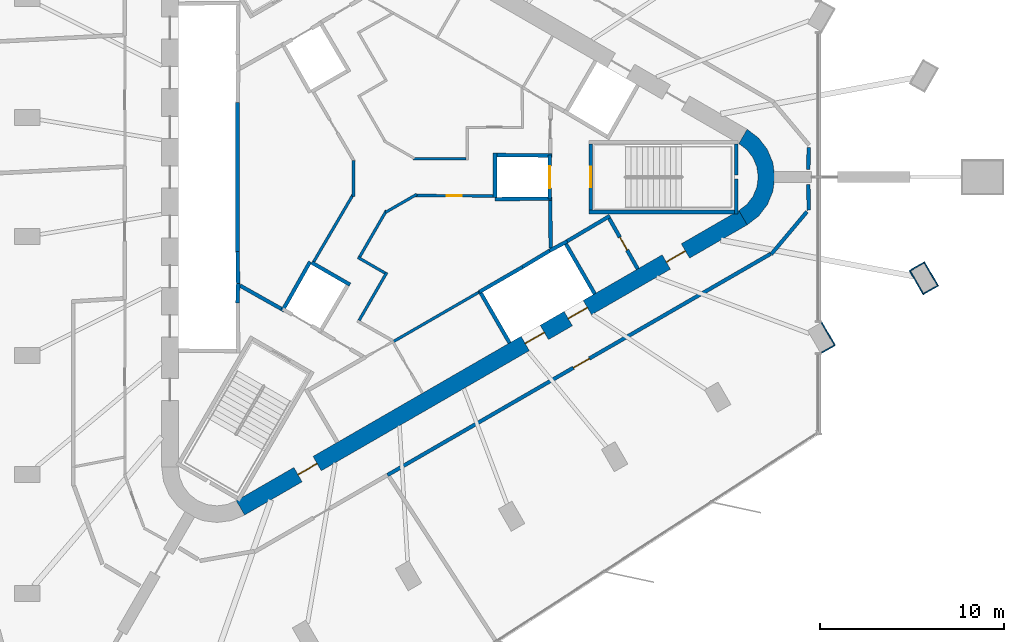
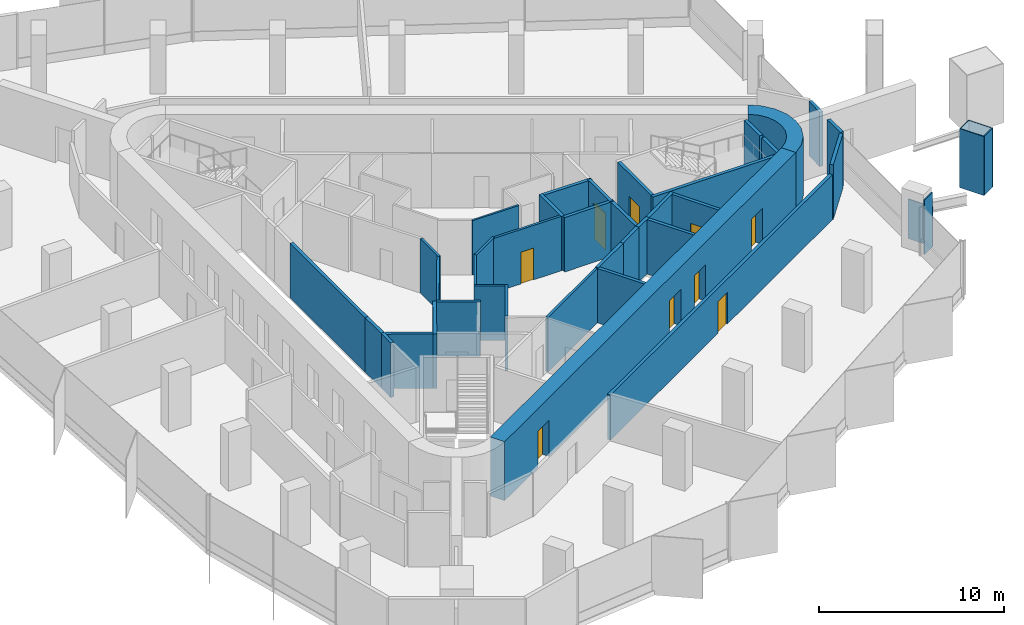
# One storey, part 8 of 12: 43 walls, 9 doors, 9 openings.
"""IFC4 building model written with IfcOpenShell, lengths in metres."""

import ifcopenshell
import ifcopenshell.guid

model = None  # the IFC model being written
_history = None  # IfcOwnerHistory: only IFC2X3 demands one
_inside = {}  # id of a spatial element -> (the spatial element, [elements in it])
_under = {}  # id of a project, library or spatial element -> (it, [spatial elements below it])
_declared = {}  # id of a project -> (the project, [libraries it declares])
_typed = {}  # id of a type object -> (the type object, [elements of that type])
_made_of = {}  # id of a material, layer set ... -> (it, [elements and type objects made of it])


def new_model(schema):
    """Start an empty IFC model of exactly this schema.

    Asked for "IFC4X3", IfcOpenShell would pick the latest addendum, in which some entities
    have other attributes; the version numbers below select the first issue.
    IFC2X3 requires an IfcOwnerHistory on every rooted entity: one is made here for all.
    """
    global model, _history
    if schema == "IFC4X3":
        model = ifcopenshell.file(schema_version=(4, 3, 0, 0))
    else:
        model = ifcopenshell.file(schema=schema)
    _inside.clear()
    _under.clear()
    _declared.clear()
    _typed.clear()
    _made_of.clear()
    _history = None
    if model.schema == "IFC2X3":
        org = make("IfcOrganization", Name="unknown")
        user = make(
            "IfcPersonAndOrganization",
            ThePerson=make("IfcPerson", FamilyName="unknown"),
            TheOrganization=org,
        )
        app = make(
            "IfcApplication",
            ApplicationDeveloper=org,
            Version="unknown",
            ApplicationFullName="unknown",
            ApplicationIdentifier="unknown",
        )
        _history = make(
            "IfcOwnerHistory",
            OwningUser=user,
            OwningApplication=app,
            ChangeAction="ADDED",
            CreationDate=0,
        )
    return model


def make(cls, **values):
    """One entity of the class cls with the attributes given. An attribute that is None is left unset."""
    return model.create_entity(
        cls, **{name: value for name, value in values.items() if value is not None}
    )


def rooted(cls, **values):
    """An entity with a GlobalId (a new one), such as an element, a storey or a relation."""
    return make(cls, GlobalId=ifcopenshell.guid.new(), OwnerHistory=_history, **values)


def si_unit(unit_type, name, prefix=None):
    """IfcSIUnit, for example si_unit("LENGTHUNIT", "METRE", prefix="MILLI")."""
    return make("IfcSIUnit", UnitType=unit_type, Prefix=prefix, Name=name)


def assignment(units):
    """IfcUnitAssignment: the units of a project."""
    return None if units is None else make("IfcUnitAssignment", Units=units)


def point(xyz):
    """IfcCartesianPoint."""
    return None if xyz is None else make("IfcCartesianPoint", Coordinates=xyz)


def direction(xyz):
    """IfcDirection."""
    return None if xyz is None else make("IfcDirection", DirectionRatios=xyz)


def frame(location, z_axis=None, x_axis=None):
    """IfcAxis2Placement3D, a coordinate frame: its origin and axes. An axis left out is left unset."""
    return make(
        "IfcAxis2Placement3D",
        Location=point(location),
        Axis=direction(z_axis),
        RefDirection=direction(x_axis),
    )


def frame_2d(location, x_axis=None):
    """IfcAxis2Placement2D, a coordinate frame in the plane: its origin and x axis."""
    return make(
        "IfcAxis2Placement2D", Location=point(location), RefDirection=direction(x_axis)
    )


def origin():
    """The frame at (0, 0, 0) with its axes left unset."""
    return frame((0.0, 0.0, 0.0))


def place(relative_to, where):
    """IfcLocalPlacement: puts the frame where relative to a parent placement (None: the world)."""
    return make(
        "IfcLocalPlacement", PlacementRelTo=relative_to, RelativePlacement=where
    )


def context(
    kind, dimensions, precision=None, world=None, true_north=None, identifier=None
):
    """IfcGeometricRepresentationContext, for example the 3D "Model" context."""
    return make(
        "IfcGeometricRepresentationContext",
        ContextIdentifier=identifier,
        ContextType=kind,
        CoordinateSpaceDimension=dimensions,
        Precision=precision,
        WorldCoordinateSystem=world,
        TrueNorth=true_north,
    )


def subcontext(parent, identifier, kind, view, scale=None):
    """IfcGeometricRepresentationSubContext, for example "Body" below "Model"."""
    return make(
        "IfcGeometricRepresentationSubContext",
        ContextIdentifier=identifier,
        ContextType=kind,
        ParentContext=parent,
        TargetScale=scale,
        TargetView=view,
    )


def project(units=None, contexts=None):
    """IfcProject with its units and contexts."""
    return rooted(
        "IfcProject",
        Name="project",
        RepresentationContexts=contexts,
        UnitsInContext=assignment(units),
    )


def spatial(cls, under=None, at=None, **own):
    """A site, building, storey or space (cls), placed at a placement, below another one or the project."""
    s = rooted(cls, ObjectPlacement=at, **own)
    if under is not None:
        _under.setdefault(under.id(), (under, []))[1].append(s)
    return s


def polyline(points):
    """IfcPolyline through the points."""
    return make("IfcPolyline", Points=[point(p) for p in points])


def profile(cls, at=None, kind="AREA", **sizes):
    """A parametric profile (cls). Its sizes go by their IFC names, for example OverallWidth=200.0."""
    return make(cls, ProfileType=kind, Position=at, **sizes)


def rectangle(**sizes):
    """IfcRectangleProfileDef."""
    return profile("IfcRectangleProfileDef", **sizes)


def outline(outer, holes=None, kind="AREA"):
    """IfcArbitraryClosedProfileDef: a profile drawn as a closed curve; with holes, ...WithVoids."""
    if holes is None:
        return make("IfcArbitraryClosedProfileDef", ProfileType=kind, OuterCurve=outer)
    return make(
        "IfcArbitraryProfileDefWithVoids",
        ProfileType=kind,
        OuterCurve=outer,
        InnerCurves=holes,
    )


def extrude(swept, where, along, depth):
    """IfcExtrudedAreaSolid: the profile swept, set in the frame where, extruded along a direction by depth."""
    return make(
        "IfcExtrudedAreaSolid",
        SweptArea=swept,
        Position=where,
        ExtrudedDirection=direction(along),
        Depth=depth,
    )


def shape(context_of_items, identifier, shape_type, items):
    """IfcShapeRepresentation: the items that make up one representation, for example the "Body"."""
    return make(
        "IfcShapeRepresentation",
        ContextOfItems=context_of_items,
        RepresentationIdentifier=identifier,
        RepresentationType=shape_type,
        Items=items,
    )


def material(Name=None, Category=None):
    """IfcMaterial."""
    return make("IfcMaterial", Name=Name, Category=Category)


def layer(
    of_material, thickness, ventilated=None, Name=None, Category=None, Priority=None
):
    """IfcMaterialLayer: one layer of a wall or slab, of a material (None: an air gap)."""
    return make(
        "IfcMaterialLayer",
        Material=of_material,
        LayerThickness=thickness,
        IsVentilated=ventilated,
        Name=Name,
        Category=Category,
        Priority=Priority,
    )


def layer_set(layers, Name=None):
    """IfcMaterialLayerSet."""
    return make("IfcMaterialLayerSet", MaterialLayers=layers, LayerSetName=Name)


def made_of(thing, what):
    """Note that an element or type object is made of a material, layer set ...; save() writes the relation."""
    if what is not None:
        _made_of.setdefault(what.id(), (what, []))[1].append(thing)
    return thing


def type_object(cls, material=None, **own):
    """A type object (cls), such as IfcWallType, which elements share."""
    return made_of(rooted(cls, **own), material)


def element(
    cls,
    number,
    at=None,
    inside=None,
    cuts=None,
    type_object=None,
    material=None,
    context=None,
    identifier="Body",
    shape_type=None,
    held_by="IfcProductDefinitionShape",
    body=None,
    shapes=None,
    **own,
):
    """One element of the class cls, such as IfcWall. Its Tag is "e" and its number.

    at: its placement. inside: the storey or other place that contains it. cuts: it is an
    opening in that element (IfcRelVoidsElement). A single representation is given by context,
    identifier, shape_type and body (its items); several are given by shapes. held_by: the class
    of the entity that holds the representations. save() writes the other relations.
    """
    e = rooted(cls, Tag="e%d" % number, ObjectPlacement=at, **own)
    if body is not None:
        shapes = [shape(context, identifier, shape_type, body)]
    if shapes is not None:
        e.Representation = make(held_by, Representations=shapes)
    if inside is not None:
        _inside.setdefault(inside.id(), (inside, []))[1].append(e)
    if cuts is not None:
        rooted(
            "IfcRelVoidsElement", RelatingBuildingElement=cuts, RelatedOpeningElement=e
        )
    if type_object is not None:
        _typed.setdefault(type_object.id(), (type_object, []))[1].append(e)
    return made_of(e, material)


def fill(opening, filler):
    """IfcRelFillsElement: the door or window that sits in an opening."""
    return rooted(
        "IfcRelFillsElement",
        RelatingOpeningElement=opening,
        RelatedBuildingElement=filler,
    )


def aggregate(whole, parts):
    """IfcRelAggregates: a whole, such as a stair, and the parts it consists of."""
    return rooted("IfcRelAggregates", RelatingObject=whole, RelatedObjects=parts)


def save(model, path):
    """Write the relations noted so far, then the file.

    IfcRelAggregates (storeys below a building ...), IfcRelContainedInSpatialStructure (elements
    in a storey), IfcRelDefinesByType, IfcRelAssociatesMaterial and IfcRelDeclares: one each for
    every whole, place, type object, material and project.
    """
    for whole, parts in _under.values():
        aggregate(whole, parts)
    for where, things in _inside.values():
        rooted(
            "IfcRelContainedInSpatialStructure",
            RelatedElements=things,
            RelatingStructure=where,
        )
    for kind, things in _typed.values():
        rooted("IfcRelDefinesByType", RelatedObjects=things, RelatingType=kind)
    for what, things in _made_of.values():
        rooted("IfcRelAssociatesMaterial", RelatedObjects=things, RelatingMaterial=what)
    for by, libraries in _declared.values():
        rooted("IfcRelDeclares", RelatingContext=by, RelatedDefinitions=libraries)
    model.write(path)


model = new_model("IFC4")

# Units and contexts
model_context = context("Model", 3, precision=1e-05, world=origin(), true_north=direction((0.0, 1.0)))
body_context = subcontext(model_context, "Body", "Model", "MODEL_VIEW")
ifc_project = project(units=[si_unit("LENGTHUNIT", "METRE"), si_unit("AREAUNIT", "SQUARE_METRE"), si_unit("VOLUMEUNIT", "CUBIC_METRE"), si_unit("PLANEANGLEUNIT", "RADIAN"), si_unit("MASSUNIT", "GRAM", prefix="KILO")], contexts=[model_context])

# Site, building, storey
site_placement = place(None, origin())
site = spatial("IfcSite", under=ifc_project, at=site_placement, CompositionType="ELEMENT")
building_placement = place(site_placement, origin())
building = spatial("IfcBuilding", under=site, at=building_placement, Name="Tanit Gate Tower", CompositionType="ELEMENT")
storey_placement = place(building_placement, frame((0.0, 0.0, 365.0)))
storey = spatial("IfcBuildingStorey", under=building, at=storey_placement, Name="L83", CompositionType="ELEMENT", Elevation=365.0)

# Wall, openings, doors
ifc_material_1 = material(Name="Concrete C40/50", Category="concrete")
ifc_layer_1 = layer(ifc_material_1, 0.89990234375)
ifc_layer_set_1 = layer_set([ifc_layer_1], Name="CORE WALL 900 C40/50")
wall_type_1 = type_object("IfcWallType", Name="CORE WALL 900 C40/50", PredefinedType="SHEAR", material=ifc_layer_set_1)
wall_1_placement = place(storey_placement, frame((-7.824951171875, -17.969970703125, 0.0), z_axis=(0.0, 0.0, 1.0), x_axis=(0.866028369851, 0.499994862586, 0.0)))
wall_1 = element("IfcWall", 1, at=wall_1_placement, inside=storey, type_object=wall_type_1, Name="CORE WALL", PredefinedType="SHEAR", context=body_context, shape_type="SweptSolid", body=[
    extrude(rectangle(XDim=31.523193359375, YDim=0.89990234375, at=frame_2d((15.76171875, 0.0))), origin(), (0.0, 0.0, 1.0), 3.89990234375),
])
opening_1_placement = place(wall_1_placement, frame((17.861572265625, 0.0, 0.0)))
opening_1 = element("IfcOpeningElement", 2, at=opening_1_placement, cuts=wall_1, Name="Opening LDSV1-83", PredefinedType="OPENING", context=body_context, shape_type="SweptSolid", body=[
    extrude(rectangle(XDim=1.199951171875, YDim=2.39990234375, at=frame_2d((0.60009765625, 1.199951171875))), frame((0.0, 0.4599609375, 0.0), z_axis=(0.0, -1.0, 0.0), x_axis=(1.0, 0.0, 0.0)), (0.0, 0.0, 1.0), 0.919921875),
])
opening_2_placement = place(wall_1_placement, frame((20.561767578125, 0.0, 0.0)))
opening_2 = element("IfcOpeningElement", 3, at=opening_2_placement, cuts=wall_1, Name="Opening LDSV2-83", PredefinedType="OPENING", context=body_context, shape_type="SweptSolid", body=[
    extrude(rectangle(XDim=1.199951171875, YDim=2.39990234375, at=frame_2d((0.60009765625, 1.199951171875))), frame((0.0, 0.4599609375, 0.0), z_axis=(0.0, -1.0, 0.0), x_axis=(1.0, 0.0, 0.0)), (0.0, 0.0, 1.0), 0.919921875),
])
opening_3_placement = place(wall_1_placement, frame((26.711669921875, 0.0, 0.0)))
opening_3 = element("IfcOpeningElement", 4, at=opening_3_placement, cuts=wall_1, Name="Opening F12-83-S1", PredefinedType="OPENING", context=body_context, shape_type="SweptSolid", body=[
    extrude(rectangle(XDim=1.199951171875, YDim=2.39990234375, at=frame_2d((0.60009765625, 1.199951171875))), frame((0.0, 0.4599609375, 0.0), z_axis=(0.0, -1.0, 0.0), x_axis=(1.0, 0.0, 0.0)), (0.0, 0.0, 1.0), 0.919921875),
])
opening_4_placement = place(wall_1_placement, frame((3.611572265625, 0.0, 0.0)))
opening_4 = element("IfcOpeningElement", 5, at=opening_4_placement, cuts=wall_1, Name="Opening F12-83-FL3", PredefinedType="OPENING", context=body_context, shape_type="SweptSolid", body=[
    extrude(rectangle(XDim=1.199951171875, YDim=2.39990234375, at=frame_2d((0.60009765625, 1.199951171875))), frame((0.0, 0.4599609375, 0.0), z_axis=(0.0, -1.0, 0.0), x_axis=(1.0, 0.0, 0.0)), (0.0, 0.0, 1.0), 0.919921875),
])
ifc_material_2 = material(Name="Fire-rated steel door leaf", Category="steel")
door_type_1 = type_object("IfcDoorType", Name="INT-DOOR-FIRE-LOBBY-1200", OperationType="NOTDEFINED", PredefinedType="USERDEFINED", material=ifc_material_2)
door_1_placement = place(opening_3_placement, origin())
door_1 = element("IfcDoor", 6, at=door_1_placement, inside=storey, type_object=door_type_1, Name="Door F12-83-S1", ObjectType="FIRE DOOR", OperationType="SINGLE_SWING_RIGHT", OverallHeight=2.39990234375, OverallWidth=1.199951171875, PredefinedType="USERDEFINED", context=body_context, shape_type="SweptSolid", body=[
    extrude(rectangle(XDim=1.199951171875, YDim=2.39990234375, at=frame_2d((0.60009765625, 1.199951171875))), frame((0.0, 0.02490234375, 0.0), z_axis=(0.0, -1.0, 0.0), x_axis=(1.0, 0.0, 0.0)), (0.0, 0.0, 1.0), 0.050048828125),
])
fill(opening_3, door_1)
door_2_placement = place(opening_4_placement, origin())
door_2 = element("IfcDoor", 7, at=door_2_placement, inside=storey, type_object=door_type_1, Name="Door F12-83-FL3", ObjectType="FIRE DOOR", OperationType="SINGLE_SWING_RIGHT", OverallHeight=2.39990234375, OverallWidth=1.199951171875, PredefinedType="USERDEFINED", context=body_context, shape_type="SweptSolid", body=[
    extrude(rectangle(XDim=1.199951171875, YDim=2.39990234375, at=frame_2d((0.60009765625, 1.199951171875))), frame((0.0, 0.02490234375, 0.0), z_axis=(0.0, -1.0, 0.0), x_axis=(1.0, 0.0, 0.0)), (0.0, 0.0, 1.0), 0.050048828125),
])
fill(opening_4, door_2)
ifc_material_3 = material(Name="Stainless steel sliding door leaf", Category="steel")
door_type_2 = type_object("IfcDoorType", Name="INT-DOOR-LANDING-1200", OperationType="NOTDEFINED", PredefinedType="USERDEFINED", material=ifc_material_3)
door_3_placement = place(opening_1_placement, origin())
door_3 = element("IfcDoor", 8, at=door_3_placement, inside=storey, type_object=door_type_2, Name="Door LDSV1-83", ObjectType="LANDING DOOR", OperationType="SLIDING_TO_LEFT", OverallHeight=2.39990234375, OverallWidth=1.199951171875, PredefinedType="USERDEFINED", context=body_context, shape_type="SweptSolid", body=[
    extrude(rectangle(XDim=1.199951171875, YDim=2.39990234375, at=frame_2d((0.60009765625, 1.199951171875))), frame((0.0, 0.02490234375, 0.0), z_axis=(0.0, -1.0, 0.0), x_axis=(1.0, 0.0, 0.0)), (0.0, 0.0, 1.0), 0.050048828125),
])
fill(opening_1, door_3)
door_4_placement = place(opening_2_placement, origin())
door_4 = element("IfcDoor", 9, at=door_4_placement, inside=storey, type_object=door_type_2, Name="Door LDSV2-83", ObjectType="LANDING DOOR", OperationType="SLIDING_TO_LEFT", OverallHeight=2.39990234375, OverallWidth=1.199951171875, PredefinedType="USERDEFINED", context=body_context, shape_type="SweptSolid", body=[
    extrude(rectangle(XDim=1.199951171875, YDim=2.39990234375, at=frame_2d((0.60009765625, 1.199951171875))), frame((0.0, 0.02490234375, 0.0), z_axis=(0.0, -1.0, 0.0), x_axis=(1.0, 0.0, 0.0)), (0.0, 0.0, 1.0), 0.050048828125),
])
fill(opening_2, door_4)

# Walls
wall_2_placement = place(storey_placement, origin())
element("IfcWall", 10, at=wall_2_placement, inside=storey, type_object=wall_type_1, Name="CORE WALL CORNER", PredefinedType="SHEAR", context=body_context, shape_type="SweptSolid", body=[
    extrude(outline(polyline([(19.699951171875, -2.59814453125), (20.3212890625, -2.121337890625), (20.798095703125, -1.5), (21.097900390625, -0.776611328125), (21.199951171875, 0.0), (21.097900390625, 0.776611328125), (20.798095703125, 1.5), (20.3212890625, 2.121337890625), (19.699951171875, 2.59814453125), (19.25, 1.818603515625), (19.684814453125, 1.48486328125), (20.018798828125, 1.050048828125), (20.228515625, 0.54345703125), (20.300048828125, 0.0), (20.228515625, -0.54345703125), (20.018798828125, -1.050048828125), (19.684814453125, -1.48486328125), (19.25, -1.818603515625), (19.699951171875, -2.59814453125)])), origin(), (0.0, 0.0, 1.0), 3.89990234375),
])
ifc_material_4 = material(Name="Bronze anodised aluminium cladding", Category="aluminium")
ifc_layer_2 = layer(ifc_material_4, 0.06005859375)
ifc_layer_set_2 = layer_set([ifc_layer_2], Name="Column casing bronze 60")
wall_type_2 = type_object("IfcWallType", Name="Column casing bronze 60", PredefinedType="SOLIDWALL", material=ifc_layer_set_2)
wall_3_placement = place(storey_placement, frame((23.711669921875, -7.84033203125, 0.0), z_axis=(0.0, 0.0, 1.0), x_axis=(0.499991248344, -0.866030456496, 0.0)))
element("IfcWall", 11, at=wall_3_placement, inside=storey, type_object=wall_type_2, Name="Column casing L83 P-SE7.L1", PredefinedType="SOLIDWALL", context=body_context, shape_type="SweptSolid", body=[
    extrude(rectangle(XDim=1.52001953125, YDim=0.06005859375, at=frame_2d((0.760009765625, 0.0))), origin(), (0.0, 0.0, 1.0), 2.610107421875),
])
wall_4_placement = place(storey_placement, frame((23.694580078125, -9.57080078125, 0.0), z_axis=(0.0, 0.0, 1.0), x_axis=(0.866061263272, 0.499937884402, 0.0)))
element("IfcWall", 12, at=wall_4_placement, inside=storey, type_object=wall_type_2, Name="Column casing L83 P-SE7.S1", PredefinedType="SOLIDWALL", context=body_context, shape_type="SweptSolid", body=[
    extrude(rectangle(XDim=0.85009765625, YDim=0.06005859375, at=frame_2d((0.425048828125, 0.0))), origin(), (0.0, 0.0, 1.0), 3.60009765625),
])
for number, where, z_axis, x_axis, name in (
    (13, (29.3095703125, -4.6083984375, 0.0), (0.0, 0.0, 1.0), (0.499991248344, -0.866030456496, 0.0), "Column casing L83 P-SE8.L1"),
    (14, (28.521484375, -5.0634765625, 0.0), (0.0, 0.0, 1.0), (0.499991248344, -0.866030456496, 0.0), "Column casing L83 P-SE8.L2"),
):
    element("IfcWall", number, at=place(storey_placement, frame(where, z_axis=z_axis, x_axis=x_axis)), inside=storey, type_object=wall_type_2, Name=name, PredefinedType="SOLIDWALL", context=body_context, shape_type="SweptSolid", body=[
        extrude(rectangle(XDim=1.52001953125, YDim=0.06005859375, at=frame_2d((0.760009765625, 0.0))), origin(), (0.0, 0.0, 1.0), 3.89990234375),
    ])
for number, where, z_axis, x_axis, name in (
    (15, (29.29248046875, -6.3388671875, 0.0), (0.0, 0.0, 1.0), (0.866061263272, 0.499937884402, 0.0), "Column casing L83 P-SE8.S1"),
    (16, (28.5625, -5.074462890625, 0.0), (0.0, 0.0, 1.0), (0.865989465428, 0.500062241894, 0.0), "Column casing L83 P-SE8.S2"),
):
    element("IfcWall", number, at=place(storey_placement, frame(where, z_axis=z_axis, x_axis=x_axis)), inside=storey, type_object=wall_type_2, Name=name, PredefinedType="SOLIDWALL", context=body_context, shape_type="SweptSolid", body=[
        extrude(rectangle(XDim=0.85009765625, YDim=0.06005859375, at=frame_2d((0.425048828125, 0.0))), origin(), (0.0, 0.0, 1.0), 3.89990234375),
    ])
ifc_material_5 = material(Name="Fire-rated gypsum board partition")
ifc_layer_3 = layer(ifc_material_5, 0.199951171875)
ifc_layer_set_3 = layer_set([ifc_layer_3], Name="INT-WALL-COMPARTMENT")
wall_type_3 = type_object("IfcWallType", Name="INT-WALL-COMPARTMENT", PredefinedType="PARTITIONING", material=ifc_layer_set_3)
wall_5_placement = place(storey_placement, frame((12.244873046875, -2.10888671875, 0.0), z_axis=(0.0, 0.0, 1.0), x_axis=(-0.860414880418, -0.509594185166, 0.0)))
element("IfcWall", 17, at=wall_5_placement, inside=storey, type_object=wall_type_3, Name="Wall Compartment W061", PredefinedType="PARTITIONING", context=body_context, shape_type="SweptSolid", body=[
    extrude(rectangle(XDim=2.7001953125, YDim=0.199951171875, at=frame_2d((1.35009765625, 0.0))), origin(), (0.0, 0.0, 1.0), 3.60009765625),
])

# Wall, opening, door
wall_6_placement = place(storey_placement, frame((13.758056640625, -4.989501953125, 0.0), z_axis=(0.0, 0.0, 1.0), x_axis=(-0.491993409184, 0.87059892334, 0.0)))
wall_6 = element("IfcWall", 18, at=wall_6_placement, inside=storey, type_object=wall_type_3, Name="Wall Compartment W062", PredefinedType="PARTITIONING", context=body_context, shape_type="SweptSolid", body=[
    extrude(rectangle(XDim=3.150146484375, YDim=0.199951171875, at=frame_2d((1.5751953125, 0.0))), origin(), (0.0, 0.0, 1.0), 3.60009765625),
])
opening_5_placement = place(wall_6_placement, frame((1.175048828125, 0.0, 0.0)))
opening_5 = element("IfcOpeningElement", 19, at=opening_5_placement, cuts=wall_6, Name="Opening R08-83-18", PredefinedType="OPENING", context=body_context, shape_type="SweptSolid", body=[
    extrude(rectangle(XDim=0.800048828125, YDim=2.10009765625, at=frame_2d((0.39990234375, 1.050048828125))), frame((0.0, 0.10986328125, 0.0), z_axis=(0.0, -1.0, 0.0), x_axis=(1.0, 0.0, 0.0)), (0.0, 0.0, 1.0), 0.219970703125),
])
ifc_material_6 = material(Name="Timber door leaf", Category="wood")
door_type_3 = type_object("IfcDoorType", Name="INT-DOOR-RISER-800", OperationType="NOTDEFINED", PredefinedType="USERDEFINED", material=ifc_material_6)
door_5_placement = place(opening_5_placement, origin())
door_5 = element("IfcDoor", 20, at=door_5_placement, inside=storey, type_object=door_type_3, Name="Door R08-83-18", ObjectType="FIRE DOOR", OperationType="SINGLE_SWING_LEFT", OverallHeight=2.10009765625, OverallWidth=0.800048828125, PredefinedType="USERDEFINED", context=body_context, shape_type="SweptSolid", body=[
    extrude(rectangle(XDim=0.800048828125, YDim=2.10009765625, at=frame_2d((0.39990234375, 1.050048828125))), frame((0.0, 0.02490234375, 0.0), z_axis=(0.0, -1.0, 0.0), x_axis=(1.0, 0.0, 0.0)), (0.0, 0.0, 1.0), 0.050048828125),
])
fill(opening_5, door_5)

# Walls
for number, where, z_axis, x_axis, name in (
    (21, (9.02880859375, -3.8505859375, 0.0), (0.0, 0.0, 1.0), (-0.010784614026, 0.999941844359, 0.0), "Wall Compartment W063"),
    (22, (-7.84912109375, -5.893798828125, 0.0), (0.0, 0.0, 1.0), (0.871340486379, -0.490678873396, 0.0), "Wall Compartment W067"),
):
    element("IfcWall", number, at=place(storey_placement, frame(where, z_axis=z_axis, x_axis=x_axis)), inside=storey, type_object=wall_type_3, Name=name, PredefinedType="PARTITIONING", context=body_context, shape_type="SweptSolid", body=[
        extrude(rectangle(XDim=2.580810546875, YDim=0.199951171875, at=frame_2d((1.29052734375, 0.0))), origin(), (0.0, 0.0, 1.0), 3.60009765625),
    ])
wall_7_placement = place(storey_placement, frame((23.02294921875, 0.39990234375, 0.0), z_axis=(0.0, 0.0, 1.0), x_axis=(0.017127676622, 0.999853310588, 0.0)))
element("IfcWall", 23, at=wall_7_placement, inside=storey, type_object=wall_type_3, Name="Wall Compartment W110", PredefinedType="PARTITIONING", context=body_context, shape_type="SweptSolid", body=[
    extrude(rectangle(XDim=1.211669921875, YDim=0.199951171875, at=frame_2d((0.60595703125, 0.0))), origin(), (0.0, 0.0, 1.0), 3.60009765625),
])

# Wall, opening, door
wall_8_placement = place(storey_placement, frame((0.16796875, -16.184326171875, 0.0), z_axis=(0.0, 0.0, 1.0), x_axis=(0.866024079741, 0.500002293304, 0.0)))
wall_8 = element("IfcWall", 24, at=wall_8_placement, inside=storey, type_object=wall_type_3, Name="Wall Compartment W120", PredefinedType="PARTITIONING", context=body_context, shape_type="SweptSolid", body=[
    extrude(rectangle(XDim=24.04052734375, YDim=0.199951171875, at=frame_2d((12.020263671875, 0.0))), origin(), (0.0, 0.0, 1.0), 2.969970703125),
])
opening_6_placement = place(wall_8_placement, frame((11.654296875, 0.0, 0.0)))
opening_6 = element("IfcOpeningElement", 25, at=opening_6_placement, cuts=wall_8, Name="Opening F10-83-27", PredefinedType="OPENING", context=body_context, shape_type="SweptSolid", body=[
    extrude(rectangle(XDim=1.0, YDim=2.10009765625, at=frame_2d((0.5, 1.050048828125))), frame((0.0, 0.10986328125, 0.0), z_axis=(0.0, -1.0, 0.0), x_axis=(1.0, 0.0, 0.0)), (0.0, 0.0, 1.0), 0.219970703125),
])
ifc_material_7 = material(Name="Fire-rated steel door leaf", Category="steel")
door_type_4 = type_object("IfcDoorType", Name="INT-DOOR-FIRE-1000", OperationType="NOTDEFINED", PredefinedType="USERDEFINED", material=ifc_material_7)
door_6_placement = place(opening_6_placement, origin())
door_6 = element("IfcDoor", 26, at=door_6_placement, inside=storey, type_object=door_type_4, Name="Door F10-83-27", ObjectType="FIRE DOOR", OperationType="SINGLE_SWING_LEFT", OverallHeight=2.10009765625, OverallWidth=1.0, PredefinedType="USERDEFINED", context=body_context, shape_type="SweptSolid", body=[
    extrude(rectangle(XDim=1.0, YDim=2.10009765625, at=frame_2d((0.5, 1.050048828125))), frame((0.0, 0.02490234375, 0.0), z_axis=(0.0, -1.0, 0.0), x_axis=(1.0, 0.0, 0.0)), (0.0, 0.0, 1.0), 0.050048828125),
])
fill(opening_6, door_6)

# Walls
wall_9_placement = place(storey_placement, frame((23.046875, -1.80126953125, 0.0), z_axis=(0.0, 0.0, 1.0), x_axis=(-0.017070682919, 0.999854285276, 0.0)))
element("IfcWall", 27, at=wall_9_placement, inside=storey, type_object=wall_type_3, Name="Wall Compartment W118", PredefinedType="PARTITIONING", context=body_context, shape_type="SweptSolid", body=[
    extrude(rectangle(XDim=1.401611328125, YDim=0.199951171875, at=frame_2d((0.70068359375, 0.0))), origin(), (0.0, 0.0, 1.0), 3.60009765625),
])
wall_10_placement = place(storey_placement, frame((21.009765625, -4.190673828125, 0.0), z_axis=(0.0, 0.0, 1.0), x_axis=(0.642808479337, 0.766026930918, 0.0)))
element("IfcWall", 28, at=wall_10_placement, inside=storey, type_object=wall_type_3, Name="Wall Compartment W119", PredefinedType="PARTITIONING", context=body_context, shape_type="SweptSolid", body=[
    extrude(rectangle(XDim=3.015625, YDim=0.199951171875, at=frame_2d((1.5078125, 0.0))), origin(), (0.0, 0.0, 1.0), 3.60009765625),
])
ifc_material_8 = material(Name="Gypsum board partition")
ifc_layer_4 = layer(ifc_material_8, 0.1201171875)
ifc_layer_set_4 = layer_set([ifc_layer_4], Name="INT-WALL-PARTITION")
wall_type_4 = type_object("IfcWallType", Name="INT-WALL-PARTITION", PredefinedType="PARTITIONING", material=ifc_layer_set_4)
wall_11_placement = place(storey_placement, frame((1.54150390625, 1.0, 0.0), z_axis=(0.0, 0.0, 1.0), x_axis=(1.0, 0.0, 0.0)))
element("IfcWall", 29, at=wall_11_placement, inside=storey, type_object=wall_type_4, Name="Wall Partition W081", PredefinedType="PARTITIONING", context=body_context, shape_type="SweptSolid", body=[
    extrude(rectangle(XDim=2.8984375, YDim=0.1201171875, at=frame_2d((1.44921875, 0.0))), origin(), (0.0, 0.0, 1.0), 3.60009765625),
])
ifc_material_9 = material(Name="Fire-rated gypsum board partition")
ifc_layer_5 = layer(ifc_material_9, 0.14990234375)
ifc_layer_set_5 = layer_set([ifc_layer_5], Name="INT-WALL-RISER")
wall_type_5 = type_object("IfcWallType", Name="INT-WALL-RISER", PredefinedType="PLUMBINGWALL", material=ifc_layer_set_5)
wall_12_placement = place(storey_placement, frame((0.482666015625, -8.935791015625, 0.0), z_axis=(0.0, 0.0, 1.0), x_axis=(0.866028230842, 0.499995103361, 0.0)))
element("IfcWall", 30, at=wall_12_placement, inside=storey, type_object=wall_type_5, Name="Wall Riser W060", PredefinedType="PLUMBINGWALL", context=body_context, shape_type="SweptSolid", body=[
    extrude(rectangle(XDim=5.39990234375, YDim=0.14990234375, at=frame_2d((2.699951171875, 0.0))), origin(), (0.0, 0.0, 1.0), 3.60009765625),
])
wall_13_placement = place(storey_placement, frame((-1.688720703125, -1.052978515625, 0.0), z_axis=(0.0, 0.0, 1.0), x_axis=(0.0, 1.0, 0.0)))
element("IfcWall", 31, at=wall_13_placement, inside=storey, type_object=wall_type_5, Name="Wall Riser W070", PredefinedType="PLUMBINGWALL", context=body_context, shape_type="SweptSolid", body=[
    extrude(rectangle(XDim=1.954345703125, YDim=0.14990234375, at=frame_2d((0.97705078125, 0.0))), origin(), (0.0, 0.0, 1.0), 3.60009765625),
])
wall_14_placement = place(storey_placement, frame((-3.841064453125, -4.59521484375, 0.0), z_axis=(0.0, 0.0, 1.0), x_axis=(0.505857207696, 0.862617229959, 0.0)))
element("IfcWall", 32, at=wall_14_placement, inside=storey, type_object=wall_type_5, Name="Wall Riser W071", PredefinedType="PLUMBINGWALL", context=body_context, shape_type="SweptSolid", body=[
    extrude(rectangle(XDim=4.231201171875, YDim=0.14990234375, at=frame_2d((2.11572265625, 0.0))), origin(), (0.0, 0.0, 1.0), 3.60009765625),
])
wall_15_placement = place(storey_placement, frame((0.125732421875, -5.18212890625, 0.0), z_axis=(0.0, 0.0, 1.0), x_axis=(-0.499990139034, -0.866031096941, 0.0)))
element("IfcWall", 33, at=wall_15_placement, inside=storey, type_object=wall_type_5, Name="Wall Riser W073", PredefinedType="PLUMBINGWALL", context=body_context, shape_type="SweptSolid", body=[
    extrude(rectangle(XDim=3.0, YDim=0.14990234375, at=frame_2d((1.5, 0.0))), origin(), (0.0, 0.0, 1.0), 3.60009765625),
])
wall_16_placement = place(storey_placement, frame((-1.448974609375, -4.359619140625, 0.0), z_axis=(0.0, 0.0, 1.0), x_axis=(0.866025371046, -0.500000056704, 0.0)))
element("IfcWall", 34, at=wall_16_placement, inside=storey, type_object=wall_type_5, Name="Wall Riser W074", PredefinedType="PLUMBINGWALL", context=body_context, shape_type="SweptSolid", body=[
    extrude(rectangle(XDim=1.7001953125, YDim=0.14990234375, at=frame_2d((0.85009765625, 0.0))), origin(), (0.0, 0.0, 1.0), 3.60009765625),
])
wall_17_placement = place(storey_placement, frame((0.108154296875, -1.8125, 0.0), z_axis=(0.0, 0.0, 1.0), x_axis=(-0.49994762993, -0.866055637547, 0.0)))
element("IfcWall", 35, at=wall_17_placement, inside=storey, type_object=wall_type_5, Name="Wall Riser W075", PredefinedType="PLUMBINGWALL", context=body_context, shape_type="SweptSolid", body=[
    extrude(rectangle(XDim=2.909423828125, YDim=0.14990234375, at=frame_2d((1.45458984375, 0.0))), origin(), (0.0, 0.0, 1.0), 3.60009765625),
])
wall_18_placement = place(storey_placement, frame((1.756103515625, -0.93603515625, 0.0), z_axis=(0.0, 0.0, 1.0), x_axis=(-0.86601293162, -0.5000216018, 0.0)))
element("IfcWall", 36, at=wall_18_placement, inside=storey, type_object=wall_type_5, Name="Wall Riser W076", PredefinedType="PLUMBINGWALL", context=body_context, shape_type="SweptSolid", body=[
    extrude(rectangle(XDim=1.95458984375, YDim=0.14990234375, at=frame_2d((0.977294921875, 0.0))), origin(), (0.0, 0.0, 1.0), 3.60009765625),
])

# Wall, opening, door
wall_19_placement = place(storey_placement, frame((5.89990234375, -1.02880859375, 0.0), z_axis=(0.0, 0.0, 1.0), x_axis=(-0.999977210765, 0.00675114447, 0.0)))
wall_19 = element("IfcWall", 37, at=wall_19_placement, inside=storey, type_object=wall_type_5, Name="Wall Riser W077", PredefinedType="PLUMBINGWALL", context=body_context, shape_type="SweptSolid", body=[
    extrude(rectangle(XDim=4.23095703125, YDim=0.14990234375, at=frame_2d((2.115478515625, 0.0))), origin(), (0.0, 0.0, 1.0), 3.60009765625),
])
opening_7_placement = place(wall_19_placement, frame((1.715576171875, 0.0, 0.0)))
opening_7 = element("IfcOpeningElement", 38, at=opening_7_placement, cuts=wall_19, Name="Opening R08-83-11", PredefinedType="OPENING", context=body_context, shape_type="SweptSolid", body=[
    extrude(rectangle(XDim=0.800048828125, YDim=2.10009765625, at=frame_2d((0.39990234375, 1.050048828125))), frame((0.0, 0.0849609375, 0.0), z_axis=(0.0, -1.0, 0.0), x_axis=(1.0, 0.0, 0.0)), (0.0, 0.0, 1.0), 0.169921875),
])
door_7_placement = place(opening_7_placement, origin())
door_7 = element("IfcDoor", 39, at=door_7_placement, inside=storey, type_object=door_type_3, Name="Door R08-83-11", ObjectType="FIRE DOOR", OperationType="SINGLE_SWING_LEFT", OverallHeight=2.10009765625, OverallWidth=0.800048828125, PredefinedType="USERDEFINED", context=body_context, shape_type="SweptSolid", body=[
    extrude(rectangle(XDim=0.800048828125, YDim=2.10009765625, at=frame_2d((0.39990234375, 1.050048828125))), frame((0.0, 0.02490234375, 0.0), z_axis=(0.0, -1.0, 0.0), x_axis=(1.0, 0.0, 0.0)), (0.0, 0.0, 1.0), 0.050048828125),
])
fill(opening_7, door_7)

# Walls
ifc_material_10 = material(Name="Gypsum shaft wall system")
ifc_layer_6 = layer(ifc_material_10, 0.199951171875)
ifc_layer_set_6 = layer_set([ifc_layer_6], Name="INT-WALL-SHAFT")
wall_type_6 = type_object("IfcWallType", Name="INT-WALL-SHAFT", PredefinedType="PLUMBINGWALL", material=ifc_layer_set_6)
wall_20_placement = place(storey_placement, frame((-7.97998046875, 4.050048828125, 0.0), z_axis=(0.0, 0.0, 1.0), x_axis=(0.0, -1.0, 0.0)))
element("IfcWall", 40, at=wall_20_placement, inside=storey, type_object=wall_type_6, Name="Wall Shaft W005", PredefinedType="PLUMBINGWALL", context=body_context, shape_type="SweptSolid", body=[
    extrude(rectangle(XDim=8.10009765625, YDim=0.199951171875, at=frame_2d((4.050048828125, 0.0))), origin(), (0.0, 0.0, 1.0), 3.60009765625),
])
wall_21_placement = place(storey_placement, frame((-7.949951171875, -5.7724609375, 0.0), z_axis=(0.0, 0.0, 1.0), x_axis=(-0.030803413295, -0.999525462272, 0.0)))
element("IfcWall", 41, at=wall_21_placement, inside=storey, type_object=wall_type_6, Name="Wall Shaft W008", PredefinedType="PLUMBINGWALL", context=body_context, shape_type="SweptSolid", body=[
    extrude(rectangle(XDim=1.077880859375, YDim=0.199951171875, at=frame_2d((0.5390625, 0.0))), origin(), (0.0, 0.0, 1.0), 3.60009765625),
])
wall_22_placement = place(storey_placement, frame((-7.97998046875, -4.050048828125, 0.0), z_axis=(0.0, 0.0, 1.0), x_axis=(0.016809909365, -0.999858703491, 0.0)))
element("IfcWall", 42, at=wall_22_placement, inside=storey, type_object=wall_type_6, Name="Wall Shaft W009", PredefinedType="PLUMBINGWALL", context=body_context, shape_type="SweptSolid", body=[
    extrude(rectangle(XDim=1.844482421875, YDim=0.199951171875, at=frame_2d((0.92236328125, 0.0))), origin(), (0.0, 0.0, 1.0), 3.60009765625),
])
wall_23_placement = place(storey_placement, frame((6.795166015625, -9.009521484375, 0.0), z_axis=(0.0, 0.0, 1.0), x_axis=(-0.499984717929, 0.866034226713, 0.0)))
element("IfcWall", 43, at=wall_23_placement, inside=storey, type_object=wall_type_6, Name="Wall Shaft W015", PredefinedType="PLUMBINGWALL", context=body_context, shape_type="SweptSolid", body=[
    extrude(rectangle(XDim=3.25, YDim=0.199951171875, at=frame_2d((1.625, 0.0))), origin(), (0.0, 0.0, 1.0), 3.60009765625),
])
wall_24_placement = place(storey_placement, frame((5.1591796875, -6.23583984375, 0.0), z_axis=(0.0, 0.0, 1.0), x_axis=(0.866036505625, 0.499980770555, 0.0)))
element("IfcWall", 44, at=wall_24_placement, inside=storey, type_object=wall_type_6, Name="Wall Shaft W016", PredefinedType="PLUMBINGWALL", context=body_context, shape_type="SweptSolid", body=[
    extrude(rectangle(XDim=2.69970703125, YDim=0.199951171875, at=frame_2d((1.349853515625, 0.0))), origin(), (0.0, 0.0, 1.0), 3.60009765625),
])
wall_25_placement = place(storey_placement, frame((9.794677734375, -3.52490234375, 0.0), z_axis=(0.0, 0.0, 1.0), x_axis=(0.499984717929, -0.866034226713, 0.0)))
element("IfcWall", 45, at=wall_25_placement, inside=storey, type_object=wall_type_6, Name="Wall Shaft W017", PredefinedType="PLUMBINGWALL", context=body_context, shape_type="SweptSolid", body=[
    extrude(rectangle(XDim=3.25, YDim=0.199951171875, at=frame_2d((1.625, 0.0))), origin(), (0.0, 0.0, 1.0), 3.60009765625),
])
wall_26_placement = place(storey_placement, frame((8.97412109375, -3.998779296875, 0.0), z_axis=(0.0, 0.0, 1.0), x_axis=(0.880907015104, 0.473289373154, 0.0)))
element("IfcWall", 46, at=wall_26_placement, inside=storey, type_object=wall_type_6, Name="Wall Shaft W018", PredefinedType="PLUMBINGWALL", context=body_context, shape_type="SweptSolid", body=[
    extrude(rectangle(XDim=1.078125, YDim=0.199951171875, at=frame_2d((0.5390625, 0.0))), origin(), (0.0, 0.0, 1.0), 3.60009765625),
])
wall_27_placement = place(storey_placement, frame((7.497314453125, -4.885986328125, 0.0), z_axis=(0.0, 0.0, 1.0), x_axis=(0.857516281273, 0.51445682749, 0.0)))
element("IfcWall", 47, at=wall_27_placement, inside=storey, type_object=wall_type_6, Name="Wall Shaft W019", PredefinedType="PLUMBINGWALL", context=body_context, shape_type="SweptSolid", body=[
    extrude(rectangle(XDim=1.8447265625, YDim=0.199951171875, at=frame_2d((0.92236328125, 0.0))), origin(), (0.0, 0.0, 1.0), 3.60009765625),
])

# Wall, opening, door
wall_28_placement = place(storey_placement, frame((8.969970703125, 1.199951171875, 0.0), z_axis=(0.0, 0.0, 1.0), x_axis=(0.0, -1.0, 0.0)))
wall_28 = element("IfcWall", 48, at=wall_28_placement, inside=storey, type_object=wall_type_6, Name="Wall Shaft W025", PredefinedType="PLUMBINGWALL", context=body_context, shape_type="SweptSolid", body=[
    extrude(rectangle(XDim=2.39990234375, YDim=0.199951171875, at=frame_2d((1.199951171875, 0.0))), origin(), (0.0, 0.0, 1.0), 3.60009765625),
])
opening_8_placement = place(wall_28_placement, frame((0.60009765625, 0.0, 0.0)))
opening_8 = element("IfcOpeningElement", 49, at=opening_8_placement, cuts=wall_28, Name="Opening LDFL1-L83", PredefinedType="OPENING", context=body_context, shape_type="SweptSolid", body=[
    extrude(rectangle(XDim=1.199951171875, YDim=2.39990234375, at=frame_2d((0.60009765625, 1.199951171875))), frame((0.0, 0.10986328125, 0.0), z_axis=(0.0, -1.0, 0.0), x_axis=(1.0, 0.0, 0.0)), (0.0, 0.0, 1.0), 0.219970703125),
])
door_8_placement = place(opening_8_placement, origin())
door_8 = element("IfcDoor", 50, at=door_8_placement, inside=storey, type_object=door_type_2, Name="Door LDFL1-L83", ObjectType="LANDING DOOR", OperationType="SLIDING_TO_LEFT", OverallHeight=2.39990234375, OverallWidth=1.199951171875, PredefinedType="USERDEFINED", context=body_context, shape_type="SweptSolid", body=[
    extrude(rectangle(XDim=1.199951171875, YDim=2.39990234375, at=frame_2d((0.60009765625, 1.199951171875))), frame((0.0, 0.02490234375, 0.0), z_axis=(0.0, -1.0, 0.0), x_axis=(1.0, 0.0, 0.0)), (0.0, 0.0, 1.0), 0.050048828125),
])
fill(opening_8, door_8)

# Walls
wall_29_placement = place(storey_placement, frame((9.10009765625, -1.1689453125, 0.0), z_axis=(0.0, 0.0, 1.0), x_axis=(-0.999949988, -0.010001074852, 0.0)))
element("IfcWall", 51, at=wall_29_placement, inside=storey, type_object=wall_type_6, Name="Wall Shaft W026", PredefinedType="PLUMBINGWALL", context=body_context, shape_type="SweptSolid", body=[
    extrude(rectangle(XDim=3.100341796875, YDim=0.199951171875, at=frame_2d((1.55029296875, 0.0))), origin(), (0.0, 0.0, 1.0), 3.60009765625),
])
wall_30_placement = place(storey_placement, frame((6.0, -1.1044921875, 0.0), z_axis=(0.0, 0.0, 1.0), x_axis=(0.0, 1.0, 0.0)))
element("IfcWall", 52, at=wall_30_placement, inside=storey, type_object=wall_type_6, Name="Wall Shaft W027", PredefinedType="PLUMBINGWALL", context=body_context, shape_type="SweptSolid", body=[
    extrude(rectangle(XDim=2.404541015625, YDim=0.199951171875, at=frame_2d((1.2021484375, 0.0))), origin(), (0.0, 0.0, 1.0), 3.60009765625),
])
wall_31_placement = place(storey_placement, frame((9.10009765625, 1.1689453125, 0.0), z_axis=(0.0, 0.0, 1.0), x_axis=(-0.99994990606, 0.010009264196, 0.0)))
element("IfcWall", 53, at=wall_31_placement, inside=storey, type_object=wall_type_6, Name="Wall Shaft W028", PredefinedType="PLUMBINGWALL", context=body_context, shape_type="SweptSolid", body=[
    extrude(rectangle(XDim=3.000244140625, YDim=0.199951171875, at=frame_2d((1.5, 0.0))), origin(), (0.0, 0.0, 1.0), 3.60009765625),
])
wall_32_placement = place(storey_placement, frame((-5.5625, -7.29638671875, 0.0), z_axis=(0.0, 0.0, 1.0), x_axis=(0.491322718731, 0.870977603649, 0.0)))
element("IfcWall", 54, at=wall_32_placement, inside=storey, type_object=wall_type_6, Name="Wall Shaft W044", PredefinedType="PLUMBINGWALL", context=body_context, shape_type="SweptSolid", body=[
    extrude(rectangle(XDim=3.10009765625, YDim=0.199951171875, at=frame_2d((1.550048828125, 0.0))), origin(), (0.0, 0.0, 1.0), 3.60009765625),
])
wall_33_placement = place(storey_placement, frame((-3.95654296875, -4.643798828125, 0.0), z_axis=(0.0, 0.0, 1.0), x_axis=(0.865991127953, -0.500059362782, 0.0)))
element("IfcWall", 55, at=wall_33_placement, inside=storey, type_object=wall_type_6, Name="Wall Shaft W045", PredefinedType="PLUMBINGWALL", context=body_context, shape_type="SweptSolid", body=[
    extrude(rectangle(XDim=2.404541015625, YDim=0.199951171875, at=frame_2d((1.2021484375, 0.0))), origin(), (0.0, 0.0, 1.0), 3.60009765625),
])
ifc_material_11 = material(Name="Concrete C40/50", Category="concrete")
ifc_layer_7 = layer(ifc_material_11, 0.199951171875)
ifc_layer_set_7 = layer_set([ifc_layer_7], Name="INT-WALL-STAIR")
wall_type_7 = type_object("IfcWallType", Name="INT-WALL-STAIR", PredefinedType="SHEAR", material=ifc_layer_set_7)
wall_34_placement = place(storey_placement, frame((19.10009765625, -2.0, -0.300048828125), z_axis=(0.0, 0.0, 1.0), x_axis=(0.0, 1.0, 0.0)))
element("IfcWall", 56, at=wall_34_placement, inside=storey, type_object=wall_type_7, Name="Wall Stair W022", PredefinedType="SHEAR", context=body_context, shape_type="SweptSolid", body=[
    extrude(rectangle(XDim=1.889892578125, YDim=0.199951171875, at=frame_2d((0.94482421875, 0.0))), origin(), (0.0, 0.0, 1.0), 3.900146484375),
])
wall_35_placement = place(storey_placement, frame((19.10009765625, 0.110107421875, -0.300048828125), z_axis=(0.0, 0.0, 1.0), x_axis=(0.0, 1.0, 0.0)))
element("IfcWall", 57, at=wall_35_placement, inside=storey, type_object=wall_type_7, Name="Wall Stair W021", PredefinedType="SHEAR", context=body_context, shape_type="SweptSolid", body=[
    extrude(rectangle(XDim=1.68994140625, YDim=0.199951171875, at=frame_2d((0.844970703125, 0.0))), origin(), (0.0, 0.0, 1.0), 3.900146484375),
])
wall_36_placement = place(storey_placement, frame((11.10009765625, -1.89990234375, -0.300048828125), z_axis=(0.0, 0.0, 1.0), x_axis=(1.0, 0.0, 0.0)))
element("IfcWall", 58, at=wall_36_placement, inside=storey, type_object=wall_type_7, Name="Wall Stair W023", PredefinedType="SHEAR", context=body_context, shape_type="SweptSolid", body=[
    extrude(rectangle(XDim=7.89990234375, YDim=0.199951171875, at=frame_2d((3.949951171875, 0.0))), origin(), (0.0, 0.0, 1.0), 3.900146484375),
])

# Wall, opening, door
wall_37_placement = place(storey_placement, frame((11.199951171875, -1.800048828125, -0.300048828125), z_axis=(0.0, 0.0, 1.0), x_axis=(0.0, 1.0, 0.0)))
wall_37 = element("IfcWall", 59, at=wall_37_placement, inside=storey, type_object=wall_type_7, Name="Wall Stair W024", PredefinedType="SHEAR", context=body_context, shape_type="SweptSolid", body=[
    extrude(rectangle(XDim=3.60009765625, YDim=0.199951171875, at=frame_2d((1.800048828125, 0.0))), origin(), (0.0, 0.0, 1.0), 3.900146484375),
])
opening_9_placement = place(wall_37_placement, frame((1.25, 0.0, 0.300048828125)))
opening_9 = element("IfcOpeningElement", 60, at=opening_9_placement, cuts=wall_37, Name="Opening S11-83-01", PredefinedType="OPENING", context=body_context, shape_type="SweptSolid", body=[
    extrude(rectangle(XDim=1.10009765625, YDim=2.10009765625, at=frame_2d((0.550048828125, 1.050048828125))), frame((0.0, 0.10986328125, 0.0), z_axis=(0.0, -1.0, 0.0), x_axis=(1.0, 0.0, 0.0)), (0.0, 0.0, 1.0), 0.219970703125),
])
ifc_material_12 = material(Name="Timber door leaf", Category="wood")
door_type_5 = type_object("IfcDoorType", Name="INT-DOOR-STAIR-1100", OperationType="NOTDEFINED", PredefinedType="USERDEFINED", material=ifc_material_12)
door_9_placement = place(opening_9_placement, origin())
door_9 = element("IfcDoor", 61, at=door_9_placement, inside=storey, type_object=door_type_5, Name="Door S11-83-01", ObjectType="FIRE DOOR", OperationType="SINGLE_SWING_RIGHT", OverallHeight=2.10009765625, OverallWidth=1.10009765625, PredefinedType="USERDEFINED", context=body_context, shape_type="SweptSolid", body=[
    extrude(rectangle(XDim=1.10009765625, YDim=2.10009765625, at=frame_2d((0.550048828125, 1.050048828125))), frame((0.0, 0.02490234375, 0.0), z_axis=(0.0, -1.0, 0.0), x_axis=(1.0, 0.0, 0.0)), (0.0, 0.0, 1.0), 0.050048828125),
])
fill(opening_9, door_9)

save(model, "model.ifc")
